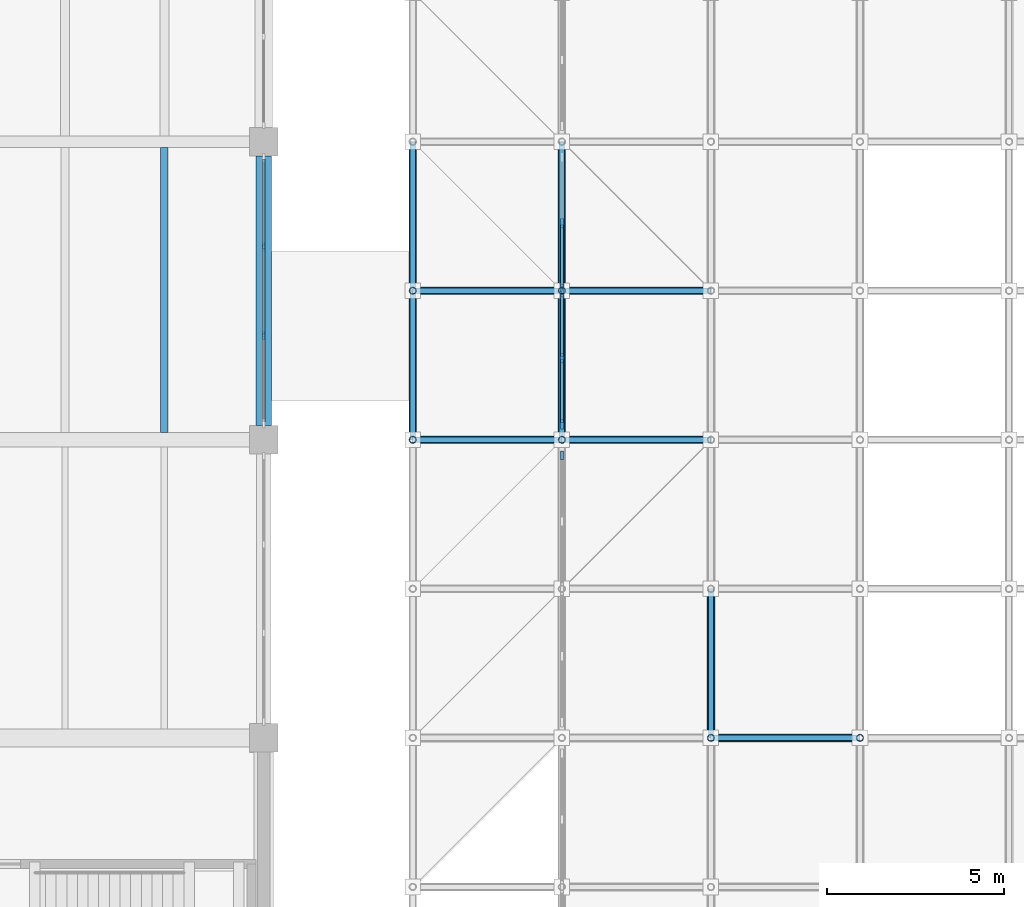
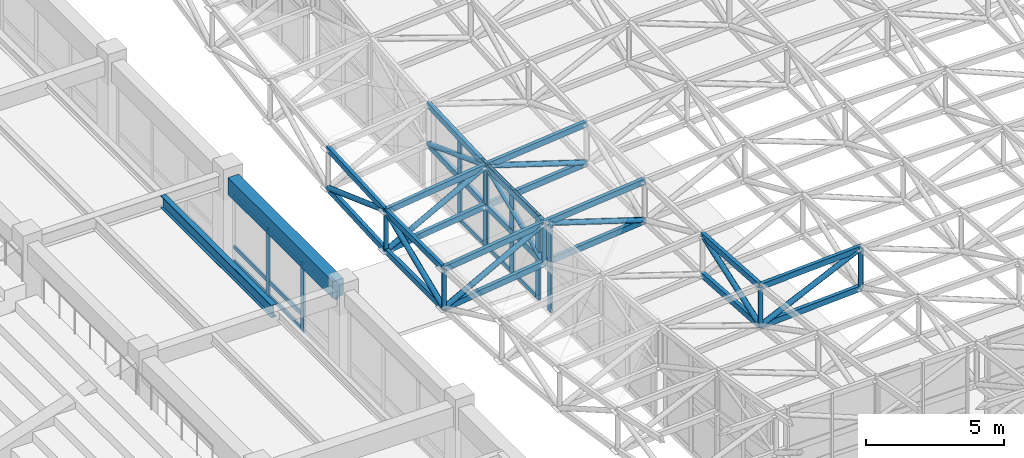
# One storey, part 18 of 132: 57 members, 2 beams, 4 elements without a shape of their own.
"""IFC4 building model written with IfcOpenShell, lengths in metres."""

from ifc_helpers import new_model, si_unit, direction, frame, origin, origin_2d, place, context, subcontext, project, spatial, rectangle, hollow_rectangle, hollow_circle, i_section, extrude, material, material_profile, profile_set, type_object, element, aggregate, save


model = new_model("IFC4")

# Units and contexts
model_context = context("Model", 3, precision=1e-05, world=origin(), true_north=direction((0.0, 1.0)))
body_context = subcontext(model_context, "Body", "Model", "MODEL_VIEW")
ifc_project = project(units=[si_unit("LENGTHUNIT", "METRE"), si_unit("AREAUNIT", "SQUARE_METRE"), si_unit("VOLUMEUNIT", "CUBIC_METRE"), si_unit("PLANEANGLEUNIT", "RADIAN"), si_unit("MASSUNIT", "GRAM", prefix="KILO")], contexts=[model_context])

# Site, building, storey
site_placement = place(None, origin())
site = spatial("IfcSite", under=ifc_project, at=site_placement, CompositionType="ELEMENT")
building_placement = place(site_placement, origin())
building = spatial("IfcBuilding", under=site, at=building_placement, Name="Cumbredor Promenade Congress Hotel", CompositionType="ELEMENT")
storey_placement = place(building_placement, frame((0.0, 0.0, 7.56005859375)))
storey = spatial("IfcBuildingStorey", under=building, at=storey_placement, Name="L02", CompositionType="ELEMENT", Elevation=7.56005859375)

# Beam
ifc_material_1 = material(Name="Concrete C40/50", Category="concrete")
ifc_material_profile_1 = material_profile(ifc_material_1, rectangle(XDim=0.449951171875, YDim=0.75, at=origin_2d()), Name="RC BEAM 450x750")
ifc_profile_set_1 = profile_set([ifc_material_profile_1], Name="Concrete C40/50")
beam_type_1 = type_object("IfcBeamType", Name="BM-RC-450x750", PredefinedType="BEAM", material=ifc_profile_set_1)
beam_1_placement = place(storey_placement, frame((67.199951171875, 25.60009765625, 3.425048828125), z_axis=(0.0, 1.0, 0.0), x_axis=(-1.0, 0.0, 0.0)))
element("IfcBeam", 1, at=beam_1_placement, inside=storey, type_object=beam_type_1, Name="L03 Y-Grid Beam 117", PredefinedType="BEAM", context=body_context, shape_type="SweptSolid", body=[
    extrude(rectangle(XDim=0.449951171875, YDim=0.75, at=origin_2d()), origin(), (0.0, 0.0, 1.0), 7.599853515625),
])

# Curtain wall, members
ifc_material_2 = material(Name="Thermally broken anodized aluminium and low-E glass", Category="aluminium")
curtain_wall_type_1 = type_object("IfcCurtainWallType", Name="Unitised Bronze Curtain Wall CW-01", PredefinedType="NOTDEFINED", material=ifc_material_2)
curtain_wall_1_placement = place(storey_placement, origin())
curtain_wall_1 = element("IfcCurtainWall", 2, at=curtain_wall_1_placement, inside=storey, type_object=curtain_wall_type_1, Name="L02 Plenary Congress Hall East Curtain Wall 3", PredefinedType="NOTDEFINED")
ifc_material_3 = material(Name="Thermally broken anodized aluminium", Category="aluminium")
ifc_material_profile_2 = material_profile(ifc_material_3, rectangle(XDim=0.080078125, YDim=0.239990234375, at=origin_2d()), Name="ALU MULLION 80x240")
ifc_profile_set_2 = profile_set([ifc_material_profile_2], Name="Thermally broken anodized aluminium")
member_type_1 = type_object("IfcMemberType", Name="Curtain Wall Mullion ML-03", PredefinedType="MULLION", material=ifc_profile_set_2)
member_1_placement = place(storey_placement, frame((67.199951171875, 28.151611328125, -0.008056640625), z_axis=(0.0, 0.0, 1.0), x_axis=(1.0, 0.0, 0.0)))
member_1 = element("IfcMember", 3, at=member_1_placement, type_object=member_type_1, Name="L02 Plenary Congress Hall East Curtain Wall 3 Mullion 2", PredefinedType="MULLION", context=body_context, shape_type="SweptSolid", body=[
    extrude(rectangle(XDim=0.080078125, YDim=0.239990234375, at=origin_2d()), origin(), (0.0, 0.0, 1.0), 3.051025390625),
])
member_2_placement = place(storey_placement, frame((67.199951171875, 30.648193359375, -0.008056640625), z_axis=(0.0, 0.0, 1.0), x_axis=(1.0, 0.0, 0.0)))
member_2 = element("IfcMember", 4, at=member_2_placement, type_object=member_type_1, Name="L02 Plenary Congress Hall East Curtain Wall 3 Mullion 3", PredefinedType="MULLION", context=body_context, shape_type="SweptSolid", body=[
    extrude(rectangle(XDim=0.080078125, YDim=0.239990234375, at=origin_2d()), origin(), (0.0, 0.0, 1.0), 3.051025390625),
])

# Curtain wall, member
curtain_wall_type_2 = type_object("IfcCurtainWallType", Name="Stepped Pavilion Clerestory Curtain Wall CW-06", PredefinedType="NOTDEFINED", material=ifc_material_2)
curtain_wall_2_placement = place(storey_placement, origin())
curtain_wall_2 = element("IfcCurtainWall", 5, at=curtain_wall_2_placement, inside=storey, type_object=curtain_wall_type_2, Name="Thermal Spa and Hydrotherapy Pavilion W Glazed Clerestory 4", PredefinedType="NOTDEFINED")
ifc_material_profile_3 = material_profile(ifc_material_3, rectangle(XDim=0.0849609375, YDim=0.260009765625, at=origin_2d()), Name="ALU MULLION CLERESTORY 85x260")
ifc_profile_set_3 = profile_set([ifc_material_profile_3], Name="Thermally broken anodized aluminium")
member_type_2 = type_object("IfcMemberType", Name="Curtain Wall Mullion ML-04", PredefinedType="MULLION", material=ifc_profile_set_3)
member_3_placement = place(storey_placement, frame((75.60009765625, 24.760009765625, -0.01806640625), z_axis=(0.0, 0.0, 1.0), x_axis=(1.0, 0.0, 0.0)))
member_3 = element("IfcMember", 6, at=member_3_placement, type_object=member_type_2, Name="Thermal Spa and Hydrotherapy Pavilion W Glazed Clerestory 4 Mullion 3", PredefinedType="MULLION", context=body_context, shape_type="SweptSolid", body=[
    extrude(rectangle(XDim=0.0849609375, YDim=0.260009765625, at=origin_2d()), origin(), (0.0, 0.0, 1.0), 3.790771484375),
])
aggregate(curtain_wall_2, [member_3])

# Curtain wall, members
curtain_wall_3_placement = place(storey_placement, origin())
curtain_wall_3 = element("IfcCurtainWall", 7, at=curtain_wall_3_placement, inside=storey, type_object=curtain_wall_type_2, Name="Thermal Spa and Hydrotherapy Pavilion W Glazed Clerestory 5", PredefinedType="NOTDEFINED")
member_4_placement = place(storey_placement, frame((75.60009765625, 25.639892578125, -0.01806640625), z_axis=(0.0, 0.0, 1.0), x_axis=(1.0, 0.0, 0.0)))
member_4 = element("IfcMember", 8, at=member_4_placement, type_object=member_type_2, Name="Thermal Spa and Hydrotherapy Pavilion W Glazed Clerestory 5 Mullion 1", PredefinedType="MULLION", context=body_context, shape_type="SweptSolid", body=[
    extrude(rectangle(XDim=0.0849609375, YDim=0.260009765625, at=origin_2d()), origin(), (0.0, 0.0, 1.0), 3.790771484375),
])
member_5_placement = place(storey_placement, frame((75.60009765625, 27.5, -0.01806640625), z_axis=(0.0, 0.0, 1.0), x_axis=(1.0, 0.0, 0.0)))
member_5 = element("IfcMember", 9, at=member_5_placement, type_object=member_type_2, Name="Thermal Spa and Hydrotherapy Pavilion W Glazed Clerestory 5 Mullion 2", PredefinedType="MULLION", context=body_context, shape_type="SweptSolid", body=[
    extrude(rectangle(XDim=0.0849609375, YDim=0.260009765625, at=origin_2d()), origin(), (0.0, 0.0, 1.0), 3.790771484375),
])
member_6_placement = place(storey_placement, frame((75.60009765625, 29.360107421875, -0.01806640625), z_axis=(0.0, 0.0, 1.0), x_axis=(1.0, 0.0, 0.0)))
member_6 = element("IfcMember", 10, at=member_6_placement, type_object=member_type_2, Name="Thermal Spa and Hydrotherapy Pavilion W Glazed Clerestory 5 Mullion 3", PredefinedType="MULLION", context=body_context, shape_type="SweptSolid", body=[
    extrude(rectangle(XDim=0.0849609375, YDim=0.260009765625, at=origin_2d()), origin(), (0.0, 0.0, 1.0), 3.790771484375),
])

curtain_wall_4_placement = place(storey_placement, origin())
curtain_wall_4 = element("IfcCurtainWall", 11, at=curtain_wall_4_placement, inside=storey, type_object=curtain_wall_type_2, Name="Thermal Spa and Hydrotherapy Pavilion W Glazed Clerestory 6", PredefinedType="NOTDEFINED")
member_7_placement = place(storey_placement, frame((75.60009765625, 29.43994140625, -0.01806640625), z_axis=(0.0, 0.0, 1.0), x_axis=(1.0, 0.0, 0.0)))
member_7 = element("IfcMember", 12, at=member_7_placement, type_object=member_type_2, Name="Thermal Spa and Hydrotherapy Pavilion W Glazed Clerestory 6 Mullion 1", PredefinedType="MULLION", context=body_context, shape_type="SweptSolid", body=[
    extrude(rectangle(XDim=0.0849609375, YDim=0.260009765625, at=origin_2d()), origin(), (0.0, 0.0, 1.0), 3.790771484375),
])
member_8_placement = place(storey_placement, frame((75.60009765625, 31.300048828125, -0.01806640625), z_axis=(0.0, 0.0, 1.0), x_axis=(1.0, 0.0, 0.0)))
member_8 = element("IfcMember", 13, at=member_8_placement, type_object=member_type_2, Name="Thermal Spa and Hydrotherapy Pavilion W Glazed Clerestory 6 Mullion 2", PredefinedType="MULLION", context=body_context, shape_type="SweptSolid", body=[
    extrude(rectangle(XDim=0.0849609375, YDim=0.260009765625, at=origin_2d()), origin(), (0.0, 0.0, 1.0), 3.790771484375),
])

# Member
ifc_material_profile_4 = material_profile(ifc_material_3, rectangle(XDim=0.080078125, YDim=0.179931640625, at=origin_2d()), Name="ALU TRANSOM 80x180")
ifc_profile_set_4 = profile_set([ifc_material_profile_4], Name="Thermally broken anodized aluminium")
member_type_3 = type_object("IfcMemberType", Name="Curtain Wall Transom TR-03", PredefinedType="USERDEFINED", material=ifc_profile_set_4)
member_9_placement = place(storey_placement, frame((67.199951171875, 25.695068359375, 2.949951171875), z_axis=(0.0, 1.0, 0.0), x_axis=(-1.0, 0.0, 0.0)))
member_9 = element("IfcMember", 14, at=member_9_placement, type_object=member_type_3, Name="L02 Plenary Congress Hall East Curtain Wall 3 Transom 1.3", ObjectType="TRANSOM", PredefinedType="USERDEFINED", context=body_context, shape_type="SweptSolid", body=[
    extrude(rectangle(XDim=0.080078125, YDim=0.179931640625, at=origin_2d()), origin(), (0.0, 0.0, 1.0), 2.416748046875),
])

member_10_placement = place(storey_placement, frame((67.199951171875, 28.191650390625, 0.08984375), z_axis=(0.0, 1.0, 0.0), x_axis=(-1.0, 0.0, 0.0)))
member_10 = element("IfcMember", 15, at=member_10_placement, type_object=member_type_3, Name="L02 Plenary Congress Hall East Curtain Wall 3 Transom 2.1", ObjectType="TRANSOM", PredefinedType="USERDEFINED", context=body_context, shape_type="SweptSolid", body=[
    extrude(rectangle(XDim=0.080078125, YDim=0.179931640625, at=origin_2d()), origin(), (0.0, 0.0, 1.0), 2.416748046875),
])

member_11_placement = place(storey_placement, frame((67.199951171875, 28.191650390625, 0.719970703125), z_axis=(0.0, 1.0, 0.0), x_axis=(-1.0, 0.0, 0.0)))
member_11 = element("IfcMember", 16, at=member_11_placement, type_object=member_type_3, Name="L02 Plenary Congress Hall East Curtain Wall 3 Transom 2.2", ObjectType="TRANSOM", PredefinedType="USERDEFINED", context=body_context, shape_type="SweptSolid", body=[
    extrude(rectangle(XDim=0.080078125, YDim=0.179931640625, at=origin_2d()), origin(), (0.0, 0.0, 1.0), 2.416748046875),
])

member_12_placement = place(storey_placement, frame((67.199951171875, 28.191650390625, 2.949951171875), z_axis=(0.0, 1.0, 0.0), x_axis=(-1.0, 0.0, 0.0)))
member_12 = element("IfcMember", 17, at=member_12_placement, type_object=member_type_3, Name="L02 Plenary Congress Hall East Curtain Wall 3 Transom 2.3", ObjectType="TRANSOM", PredefinedType="USERDEFINED", context=body_context, shape_type="SweptSolid", body=[
    extrude(rectangle(XDim=0.080078125, YDim=0.179931640625, at=origin_2d()), origin(), (0.0, 0.0, 1.0), 2.416748046875),
])

member_13_placement = place(storey_placement, frame((67.199951171875, 30.688232421875, 0.08984375), z_axis=(0.0, 1.0, 0.0), x_axis=(-1.0, 0.0, 0.0)))
member_13 = element("IfcMember", 18, at=member_13_placement, type_object=member_type_3, Name="L02 Plenary Congress Hall East Curtain Wall 3 Transom 3.1", ObjectType="TRANSOM", PredefinedType="USERDEFINED", context=body_context, shape_type="SweptSolid", body=[
    extrude(rectangle(XDim=0.080078125, YDim=0.179931640625, at=origin_2d()), origin(), (0.0, 0.0, 1.0), 2.416748046875),
])

member_14_placement = place(storey_placement, frame((67.199951171875, 30.688232421875, 0.719970703125), z_axis=(0.0, 1.0, 0.0), x_axis=(-1.0, 0.0, 0.0)))
member_14 = element("IfcMember", 19, at=member_14_placement, type_object=member_type_3, Name="L02 Plenary Congress Hall East Curtain Wall 3 Transom 3.2", ObjectType="TRANSOM", PredefinedType="USERDEFINED", context=body_context, shape_type="SweptSolid", body=[
    extrude(rectangle(XDim=0.080078125, YDim=0.179931640625, at=origin_2d()), origin(), (0.0, 0.0, 1.0), 2.416748046875),
])

member_15_placement = place(storey_placement, frame((67.199951171875, 30.688232421875, 2.949951171875), z_axis=(0.0, 1.0, 0.0), x_axis=(-1.0, 0.0, 0.0)))
member_15 = element("IfcMember", 20, at=member_15_placement, type_object=member_type_3, Name="L02 Plenary Congress Hall East Curtain Wall 3 Transom 3.3", ObjectType="TRANSOM", PredefinedType="USERDEFINED", context=body_context, shape_type="SweptSolid", body=[
    extrude(rectangle(XDim=0.080078125, YDim=0.179931640625, at=origin_2d()), origin(), (0.0, 0.0, 1.0), 2.416748046875),
])

aggregate(curtain_wall_1, [member_1, member_2, member_9, member_10, member_11, member_12, member_13, member_14, member_15])

member_16_placement = place(storey_placement, frame((75.60009765625, 25.6826171875, 0.079833984375), z_axis=(0.0, 1.0, 0.0), x_axis=(-1.0, 0.0, 0.0)))
member_16 = element("IfcMember", 21, at=member_16_placement, type_object=member_type_3, Name="Thermal Spa and Hydrotherapy Pavilion W Glazed Clerestory 5 Transom 1.1", ObjectType="TRANSOM", PredefinedType="USERDEFINED", context=body_context, shape_type="SweptSolid", body=[
    extrude(rectangle(XDim=0.080078125, YDim=0.179931640625, at=origin_2d()), origin(), (0.0, 0.0, 1.0), 1.77490234375),
])

member_17_placement = place(storey_placement, frame((75.60009765625, 25.6826171875, 3.669921875), z_axis=(0.0, 1.0, 0.0), x_axis=(-1.0, 0.0, 0.0)))
member_17 = element("IfcMember", 22, at=member_17_placement, type_object=member_type_3, Name="Thermal Spa and Hydrotherapy Pavilion W Glazed Clerestory 5 Transom 1.2", ObjectType="TRANSOM", PredefinedType="USERDEFINED", context=body_context, shape_type="SweptSolid", body=[
    extrude(rectangle(XDim=0.080078125, YDim=0.179931640625, at=origin_2d()), origin(), (0.0, 0.0, 1.0), 1.77490234375),
])

member_18_placement = place(storey_placement, frame((75.60009765625, 27.54248046875, 0.079833984375), z_axis=(0.0, 1.0, 0.0), x_axis=(-1.0, 0.0, 0.0)))
member_18 = element("IfcMember", 23, at=member_18_placement, type_object=member_type_3, Name="Thermal Spa and Hydrotherapy Pavilion W Glazed Clerestory 5 Transom 2.1", ObjectType="TRANSOM", PredefinedType="USERDEFINED", context=body_context, shape_type="SweptSolid", body=[
    extrude(rectangle(XDim=0.080078125, YDim=0.179931640625, at=origin_2d()), origin(), (0.0, 0.0, 1.0), 1.77490234375),
])

member_19_placement = place(storey_placement, frame((75.60009765625, 27.54248046875, 3.669921875), z_axis=(0.0, 1.0, 0.0), x_axis=(-1.0, 0.0, 0.0)))
member_19 = element("IfcMember", 24, at=member_19_placement, type_object=member_type_3, Name="Thermal Spa and Hydrotherapy Pavilion W Glazed Clerestory 5 Transom 2.2", ObjectType="TRANSOM", PredefinedType="USERDEFINED", context=body_context, shape_type="SweptSolid", body=[
    extrude(rectangle(XDim=0.080078125, YDim=0.179931640625, at=origin_2d()), origin(), (0.0, 0.0, 1.0), 1.77490234375),
])

aggregate(curtain_wall_3, [member_4, member_5, member_6, member_16, member_17, member_18, member_19])

member_20_placement = place(storey_placement, frame((75.60009765625, 29.482421875, 0.079833984375), z_axis=(0.0, 1.0, 0.0), x_axis=(-1.0, 0.0, 0.0)))
member_20 = element("IfcMember", 25, at=member_20_placement, type_object=member_type_3, Name="Thermal Spa and Hydrotherapy Pavilion W Glazed Clerestory 6 Transom 1.1", ObjectType="TRANSOM", PredefinedType="USERDEFINED", context=body_context, shape_type="SweptSolid", body=[
    extrude(rectangle(XDim=0.080078125, YDim=0.179931640625, at=origin_2d()), origin(), (0.0, 0.0, 1.0), 1.775146484375),
])

member_21_placement = place(storey_placement, frame((75.60009765625, 29.482421875, 3.669921875), z_axis=(0.0, 1.0, 0.0), x_axis=(-1.0, 0.0, 0.0)))
member_21 = element("IfcMember", 26, at=member_21_placement, type_object=member_type_3, Name="Thermal Spa and Hydrotherapy Pavilion W Glazed Clerestory 6 Transom 1.2", ObjectType="TRANSOM", PredefinedType="USERDEFINED", context=body_context, shape_type="SweptSolid", body=[
    extrude(rectangle(XDim=0.080078125, YDim=0.179931640625, at=origin_2d()), origin(), (0.0, 0.0, 1.0), 1.775146484375),
])

aggregate(curtain_wall_4, [member_7, member_8, member_20, member_21])

# Beam
ifc_material_4 = material(Name="Steel ASTM A992 Grade 50", Category="steel")
ifc_material_profile_5 = material_profile(ifc_material_4, i_section(OverallWidth=0.214111328125, OverallDepth=0.549072265625, WebThickness=0.0146484375, FlangeThickness=0.023681640625, at=origin_2d()), Name="W21X93")
ifc_profile_set_5 = profile_set([ifc_material_profile_5], Name="Steel ASTM A992 Grade 50")
beam_type_2 = type_object("IfcBeamType", Name="JST-W21X93", PredefinedType="JOIST", material=ifc_profile_set_5)
beam_2_placement = place(storey_placement, frame((64.39990234375, 25.39990234375, 3.525390625), z_axis=(0.0, 1.0, 0.0), x_axis=(-1.0, 0.0, 0.0)))
element("IfcBeam", 27, at=beam_2_placement, inside=storey, type_object=beam_type_2, Name="L03 Secondary Floor Joist 0051", PredefinedType="JOIST", context=body_context, shape_type="SweptSolid", body=[
    extrude(i_section(OverallWidth=0.214111328125, OverallDepth=0.549072265625, WebThickness=0.0146484375, FlangeThickness=0.023681640625, at=origin_2d()), origin(), (0.0, 0.0, 1.0), 8.0380859375),
])

# Members
ifc_material_5 = material(Name="Steel ASTM A500 Grade C", Category="steel")
ifc_material_profile_6 = material_profile(ifc_material_5, hollow_rectangle(XDim=0.14990234375, YDim=0.25, WallThickness=0.012451171875, at=origin_2d()), Name="HSS 250x150x12.5")
ifc_profile_set_6 = profile_set([ifc_material_profile_6], Name="Steel ASTM A500 Grade C")
member_type_4 = type_object("IfcMemberType", Name="Spa Roof Space Frame Chord", PredefinedType="CHORD", material=ifc_profile_set_6)
for number, where, z_axis, x_axis, name in (
    (28, (79.800048828125, 16.800048828125, 4.458984375), (0.998616064852, 0.0, 0.052592347541), (0.0, 1.0, 0.0), "Thermal Spa and Hydrotherapy Pavilion X Top Chord 3.5"),
    (29, (79.800048828125, 16.800048828125, 2.708984375), (0.998616064852, 0.0, 0.052592347541), (0.0, 1.0, 0.0), "Thermal Spa and Hydrotherapy Pavilion X Bottom Chord 3.5"),
):
    element("IfcMember", number, at=place(storey_placement, frame(where, z_axis=z_axis, x_axis=x_axis)), inside=storey, type_object=member_type_4, Name=name, PredefinedType="CHORD", context=body_context, shape_type="SweptSolid", body=[
        extrude(hollow_rectangle(XDim=0.14990234375, YDim=0.25, WallThickness=0.012451171875, at=origin_2d()), origin(), (0.0, 0.0, 1.0), 4.205810546875),
    ])
for number, where, z_axis, x_axis, name in (
    (30, (71.39990234375, 25.199951171875, 3.08740234375), (0.992002244166, 0.0, 0.126220234392), (0.0, 1.0, 0.0), "Thermal Spa and Hydrotherapy Pavilion X Top Chord 1.7"),
    (31, (71.39990234375, 25.199951171875, 1.33740234375), (0.992002244166, 0.0, 0.126220234392), (0.0, 1.0, 0.0), "Thermal Spa and Hydrotherapy Pavilion X Bottom Chord 1.7"),
):
    element("IfcMember", number, at=place(storey_placement, frame(where, z_axis=z_axis, x_axis=x_axis)), inside=storey, type_object=member_type_4, Name=name, PredefinedType="CHORD", context=body_context, shape_type="SweptSolid", body=[
        extrude(hollow_rectangle(XDim=0.14990234375, YDim=0.25, WallThickness=0.012451171875, at=origin_2d()), origin(), (0.0, 0.0, 1.0), 4.234130859375),
    ])
for number, where, z_axis, x_axis, name in (
    (32, (75.60009765625, 25.199951171875, 3.621826171875), (0.995124432433, 0.0, 0.098627399715), (0.0, 1.0, 0.0), "Thermal Spa and Hydrotherapy Pavilion X Top Chord 2.7"),
    (33, (75.60009765625, 25.199951171875, 1.871826171875), (0.995124432433, 0.0, 0.098627399715), (0.0, 1.0, 0.0), "Thermal Spa and Hydrotherapy Pavilion X Bottom Chord 2.7"),
):
    element("IfcMember", number, at=place(storey_placement, frame(where, z_axis=z_axis, x_axis=x_axis)), inside=storey, type_object=member_type_4, Name=name, PredefinedType="CHORD", context=body_context, shape_type="SweptSolid", body=[
        extrude(hollow_rectangle(XDim=0.14990234375, YDim=0.25, WallThickness=0.012451171875, at=origin_2d()), origin(), (0.0, 0.0, 1.0), 4.220458984375),
    ])
for number, where, z_axis, x_axis, name in (
    (34, (71.39990234375, 29.39990234375, 3.08740234375), (0.992002244166, 0.0, 0.126220234392), (0.0, 1.0, 0.0), "Thermal Spa and Hydrotherapy Pavilion X Top Chord 1.8"),
    (35, (71.39990234375, 29.39990234375, 1.33740234375), (0.992002244166, 0.0, 0.126220234392), (0.0, 1.0, 0.0), "Thermal Spa and Hydrotherapy Pavilion X Bottom Chord 1.8"),
):
    element("IfcMember", number, at=place(storey_placement, frame(where, z_axis=z_axis, x_axis=x_axis)), inside=storey, type_object=member_type_4, Name=name, PredefinedType="CHORD", context=body_context, shape_type="SweptSolid", body=[
        extrude(hollow_rectangle(XDim=0.14990234375, YDim=0.25, WallThickness=0.012451171875, at=origin_2d()), origin(), (0.0, 0.0, 1.0), 4.234130859375),
    ])
for number, where, z_axis, x_axis, name in (
    (36, (75.60009765625, 29.39990234375, 3.621826171875), (0.995124432433, 0.0, 0.098627399715), (0.0, 1.0, 0.0), "Thermal Spa and Hydrotherapy Pavilion X Top Chord 2.8"),
    (37, (75.60009765625, 29.39990234375, 1.871826171875), (0.995124432433, 0.0, 0.098627399715), (0.0, 1.0, 0.0), "Thermal Spa and Hydrotherapy Pavilion X Bottom Chord 2.8"),
):
    element("IfcMember", number, at=place(storey_placement, frame(where, z_axis=z_axis, x_axis=x_axis)), inside=storey, type_object=member_type_4, Name=name, PredefinedType="CHORD", context=body_context, shape_type="SweptSolid", body=[
        extrude(hollow_rectangle(XDim=0.14990234375, YDim=0.25, WallThickness=0.012451171875, at=origin_2d()), origin(), (0.0, 0.0, 1.0), 4.220458984375),
    ])
for number, where, z_axis, x_axis, name in (
    (38, (71.39990234375, 25.199951171875, 3.08740234375), (0.0, 1.0, 0.0), (-1.0, 0.0, 0.0), "Thermal Spa and Hydrotherapy Pavilion Y Top Chord 1.7"),
    (39, (71.39990234375, 25.199951171875, 1.33740234375), (0.0, 1.0, 0.0), (-1.0, 0.0, 0.0), "Thermal Spa and Hydrotherapy Pavilion Y Bottom Chord 1.7"),
):
    element("IfcMember", number, at=place(storey_placement, frame(where, z_axis=z_axis, x_axis=x_axis)), inside=storey, type_object=member_type_4, Name=name, PredefinedType="CHORD", context=body_context, shape_type="SweptSolid", body=[
        extrude(hollow_rectangle(XDim=0.14990234375, YDim=0.25, WallThickness=0.012451171875, at=origin_2d()), origin(), (0.0, 0.0, 1.0), 4.199951171875),
    ])
for number, where, z_axis, x_axis, name in (
    (40, (71.39990234375, 29.39990234375, 3.08740234375), (0.0, 0.998607065326, 0.052762951778), (-1.0, 0.0, 0.0), "Thermal Spa and Hydrotherapy Pavilion Y Top Chord 1.8"),
    (41, (71.39990234375, 29.39990234375, 1.33740234375), (0.0, 0.998607065326, 0.052762951778), (-1.0, 0.0, 0.0), "Thermal Spa and Hydrotherapy Pavilion Y Bottom Chord 1.8"),
):
    element("IfcMember", number, at=place(storey_placement, frame(where, z_axis=z_axis, x_axis=x_axis)), inside=storey, type_object=member_type_4, Name=name, PredefinedType="CHORD", context=body_context, shape_type="SweptSolid", body=[
        extrude(hollow_rectangle(XDim=0.14990234375, YDim=0.25, WallThickness=0.012451171875, at=origin_2d()), origin(), (0.0, 0.0, 1.0), 4.2060546875),
    ])
for number, where, z_axis, x_axis, name in (
    (42, (75.60009765625, 25.199951171875, 3.621826171875), (0.0, 1.0, 0.0), (-1.0, 0.0, 0.0), "Thermal Spa and Hydrotherapy Pavilion Y Top Chord 2.7"),
    (43, (75.60009765625, 25.199951171875, 1.871826171875), (0.0, 1.0, 0.0), (-1.0, 0.0, 0.0), "Thermal Spa and Hydrotherapy Pavilion Y Bottom Chord 2.7"),
):
    element("IfcMember", number, at=place(storey_placement, frame(where, z_axis=z_axis, x_axis=x_axis)), inside=storey, type_object=member_type_4, Name=name, PredefinedType="CHORD", context=body_context, shape_type="SweptSolid", body=[
        extrude(hollow_rectangle(XDim=0.14990234375, YDim=0.25, WallThickness=0.012451171875, at=origin_2d()), origin(), (0.0, 0.0, 1.0), 4.199951171875),
    ])
for number, where, z_axis, x_axis, name in (
    (44, (75.60009765625, 29.39990234375, 3.621826171875), (0.0, 0.999127831372, 0.04175615617), (-1.0, 0.0, 0.0), "Thermal Spa and Hydrotherapy Pavilion Y Top Chord 2.8"),
    (45, (75.60009765625, 29.39990234375, 1.871826171875), (0.0, 0.999127831372, 0.04175615617), (-1.0, 0.0, 0.0), "Thermal Spa and Hydrotherapy Pavilion Y Bottom Chord 2.8"),
):
    element("IfcMember", number, at=place(storey_placement, frame(where, z_axis=z_axis, x_axis=x_axis)), inside=storey, type_object=member_type_4, Name=name, PredefinedType="CHORD", context=body_context, shape_type="SweptSolid", body=[
        extrude(hollow_rectangle(XDim=0.14990234375, YDim=0.25, WallThickness=0.012451171875, at=origin_2d()), origin(), (0.0, 0.0, 1.0), 4.203857421875),
    ])
for number, where, z_axis, x_axis, name in (
    (46, (79.800048828125, 16.800048828125, 4.458984375), (0.0, 0.997773079517, -0.066699938467), (-1.0, 0.0, 0.0), "Thermal Spa and Hydrotherapy Pavilion Y Top Chord 3.5"),
    (47, (79.800048828125, 16.800048828125, 2.708984375), (0.0, 0.997773079517, -0.066699938467), (-1.0, 0.0, 0.0), "Thermal Spa and Hydrotherapy Pavilion Y Bottom Chord 3.5"),
):
    element("IfcMember", number, at=place(storey_placement, frame(where, z_axis=z_axis, x_axis=x_axis)), inside=storey, type_object=member_type_4, Name=name, PredefinedType="CHORD", context=body_context, shape_type="SweptSolid", body=[
        extrude(hollow_rectangle(XDim=0.14990234375, YDim=0.25, WallThickness=0.012451171875, at=origin_2d()), origin(), (0.0, 0.0, 1.0), 4.209228515625),
    ])
ifc_material_profile_7 = material_profile(ifc_material_5, hollow_circle(Radius=0.109619140625, WallThickness=0.012451171875, at=origin_2d()), Name="CHS 219.1x12.5")
ifc_profile_set_7 = profile_set([ifc_material_profile_7], Name="Steel ASTM A500 Grade C")
member_type_5 = type_object("IfcMemberType", Name="Space Frame Web Diagonal D1", PredefinedType="BRACE", material=ifc_profile_set_7)
member_22_placement = place(storey_placement, frame((79.800048828125, 16.800048828125, 2.708984375), z_axis=(0.905254705421, 0.0, 0.424869295563), x_axis=(0.0, 1.0, 0.0)))
element("IfcMember", 48, at=member_22_placement, inside=storey, type_object=member_type_5, Name="Thermal Spa and Hydrotherapy Pavilion X Web Diagonal 3.5", PredefinedType="BRACE", context=body_context, shape_type="SweptSolid", body=[
    extrude(hollow_circle(Radius=0.109619140625, WallThickness=0.012451171875, at=origin_2d()), origin(), (0.0, 0.0, 1.0), 4.639404296875),
])
member_23_placement = place(storey_placement, frame((71.39990234375, 25.199951171875, 1.33740234375), z_axis=(0.878474502397, 0.0, 0.477789230349), x_axis=(0.0, 1.0, 0.0)))
element("IfcMember", 49, at=member_23_placement, inside=storey, type_object=member_type_5, Name="Thermal Spa and Hydrotherapy Pavilion X Web Diagonal 1.7", PredefinedType="BRACE", context=body_context, shape_type="SweptSolid", body=[
    extrude(hollow_circle(Radius=0.109619140625, WallThickness=0.012451171875, at=origin_2d()), origin(), (0.0, 0.0, 1.0), 4.78125),
])
member_24_placement = place(storey_placement, frame((75.60009765625, 25.199951171875, 3.621826171875), z_axis=(0.953096618765, 0.0, -0.302666211028), x_axis=(0.0, 1.0, 0.0)))
element("IfcMember", 50, at=member_24_placement, inside=storey, type_object=member_type_5, Name="Thermal Spa and Hydrotherapy Pavilion X Web Diagonal 2.7", PredefinedType="BRACE", context=body_context, shape_type="SweptSolid", body=[
    extrude(hollow_circle(Radius=0.109619140625, WallThickness=0.012451171875, at=origin_2d()), origin(), (0.0, 0.0, 1.0), 4.40673828125),
])
member_25_placement = place(storey_placement, frame((71.39990234375, 29.39990234375, 1.33740234375), z_axis=(0.878474502397, 0.0, 0.477789230349), x_axis=(0.0, 1.0, 0.0)))
element("IfcMember", 51, at=member_25_placement, inside=storey, type_object=member_type_5, Name="Thermal Spa and Hydrotherapy Pavilion X Web Diagonal 1.8", PredefinedType="BRACE", context=body_context, shape_type="SweptSolid", body=[
    extrude(hollow_circle(Radius=0.109619140625, WallThickness=0.012451171875, at=origin_2d()), origin(), (0.0, 0.0, 1.0), 4.78125),
])
member_26_placement = place(storey_placement, frame((75.60009765625, 29.39990234375, 3.621826171875), z_axis=(0.953096618765, 0.0, -0.302666211028), x_axis=(0.0, 1.0, 0.0)))
element("IfcMember", 52, at=member_26_placement, inside=storey, type_object=member_type_5, Name="Thermal Spa and Hydrotherapy Pavilion X Web Diagonal 2.8", PredefinedType="BRACE", context=body_context, shape_type="SweptSolid", body=[
    extrude(hollow_circle(Radius=0.109619140625, WallThickness=0.012451171875, at=origin_2d()), origin(), (0.0, 0.0, 1.0), 4.40673828125),
])
member_27_placement = place(storey_placement, frame((71.39990234375, 25.199951171875, 1.33740234375), z_axis=(0.0, 0.92307533556, 0.384619194634), x_axis=(-1.0, 0.0, 0.0)))
element("IfcMember", 53, at=member_27_placement, inside=storey, type_object=member_type_5, Name="Thermal Spa and Hydrotherapy Pavilion Y Web Diagonal 1.7", PredefinedType="BRACE", context=body_context, shape_type="SweptSolid", body=[
    extrude(hollow_circle(Radius=0.109619140625, WallThickness=0.012451171875, at=origin_2d()), origin(), (0.0, 0.0, 1.0), 4.550048828125),
])
member_28_placement = place(storey_placement, frame((71.39990234375, 29.39990234375, 3.08740234375), z_axis=(0.0, 0.939740782509, -0.341887791079), x_axis=(-1.0, 0.0, 0.0)))
element("IfcMember", 54, at=member_28_placement, inside=storey, type_object=member_type_5, Name="Thermal Spa and Hydrotherapy Pavilion Y Web Diagonal 1.8", PredefinedType="BRACE", context=body_context, shape_type="SweptSolid", body=[
    extrude(hollow_circle(Radius=0.109619140625, WallThickness=0.012451171875, at=origin_2d()), origin(), (0.0, 0.0, 1.0), 4.469482421875),
])
member_29_placement = place(storey_placement, frame((75.60009765625, 25.199951171875, 1.871826171875), z_axis=(0.0, 0.92307533556, 0.384619194634), x_axis=(-1.0, 0.0, 0.0)))
element("IfcMember", 55, at=member_29_placement, inside=storey, type_object=member_type_5, Name="Thermal Spa and Hydrotherapy Pavilion Y Web Diagonal 2.7", PredefinedType="BRACE", context=body_context, shape_type="SweptSolid", body=[
    extrude(hollow_circle(Radius=0.109619140625, WallThickness=0.012451171875, at=origin_2d()), origin(), (0.0, 0.0, 1.0), 4.550048828125),
])
member_30_placement = place(storey_placement, frame((75.60009765625, 29.39990234375, 3.621826171875), z_axis=(0.0, 0.936373905054, -0.351004145181), x_axis=(-1.0, 0.0, 0.0)))
element("IfcMember", 56, at=member_30_placement, inside=storey, type_object=member_type_5, Name="Thermal Spa and Hydrotherapy Pavilion Y Web Diagonal 2.8", PredefinedType="BRACE", context=body_context, shape_type="SweptSolid", body=[
    extrude(hollow_circle(Radius=0.109619140625, WallThickness=0.012451171875, at=origin_2d()), origin(), (0.0, 0.0, 1.0), 4.485595703125),
])
member_31_placement = place(storey_placement, frame((79.800048828125, 16.800048828125, 2.708984375), z_axis=(0.0, 0.943910525084, 0.330201333486), x_axis=(-1.0, 0.0, 0.0)))
element("IfcMember", 57, at=member_31_placement, inside=storey, type_object=member_type_5, Name="Thermal Spa and Hydrotherapy Pavilion Y Web Diagonal 3.5", PredefinedType="BRACE", context=body_context, shape_type="SweptSolid", body=[
    extrude(hollow_circle(Radius=0.109619140625, WallThickness=0.012451171875, at=origin_2d()), origin(), (0.0, 0.0, 1.0), 4.449462890625),
])
ifc_material_profile_8 = material_profile(ifc_material_5, hollow_circle(Radius=0.096923828125, WallThickness=0.010009765625, at=origin_2d()), Name="CHS 193.7x10")
ifc_profile_set_8 = profile_set([ifc_material_profile_8], Name="Steel ASTM A500 Grade C")
member_type_6 = type_object("IfcMemberType", Name="Space Frame Web Post P1", PredefinedType="BRACE", material=ifc_profile_set_8)
for number, where, z_axis, x_axis, name in (
    (58, (71.39990234375, 25.199951171875, 1.33740234375), (0.0, 0.0, 1.0), (1.0, 0.0, 0.0), "Thermal Spa and Hydrotherapy Pavilion Space Frame Web Post 1.7"),
    (59, (71.39990234375, 29.39990234375, 1.33740234375), (0.0, 0.0, 1.0), (1.0, 0.0, 0.0), "Thermal Spa and Hydrotherapy Pavilion Space Frame Web Post 1.8"),
    (60, (75.60009765625, 25.199951171875, 1.871826171875), (0.0, 0.0, 1.0), (1.0, 0.0, 0.0), "Thermal Spa and Hydrotherapy Pavilion Space Frame Web Post 2.7"),
    (61, (75.60009765625, 29.39990234375, 1.871826171875), (0.0, 0.0, 1.0), (1.0, 0.0, 0.0), "Thermal Spa and Hydrotherapy Pavilion Space Frame Web Post 2.8"),
    (62, (79.800048828125, 16.800048828125, 2.708984375), (0.0, 0.0, 1.0), (1.0, 0.0, 0.0), "Thermal Spa and Hydrotherapy Pavilion Space Frame Web Post 3.5"),
    (63, (84.0, 16.800048828125, 2.93017578125), (0.0, 0.0, 1.0), (1.0, 0.0, 0.0), "Thermal Spa and Hydrotherapy Pavilion Space Frame Web Post 4.5"),
):
    element("IfcMember", number, at=place(storey_placement, frame(where, z_axis=z_axis, x_axis=x_axis)), inside=storey, type_object=member_type_6, Name=name, PredefinedType="BRACE", context=body_context, shape_type="SweptSolid", body=[
        extrude(hollow_circle(Radius=0.096923828125, WallThickness=0.010009765625, at=origin_2d()), origin(), (0.0, 0.0, 1.0), 1.75),
    ])

save(model, "model.ifc")
